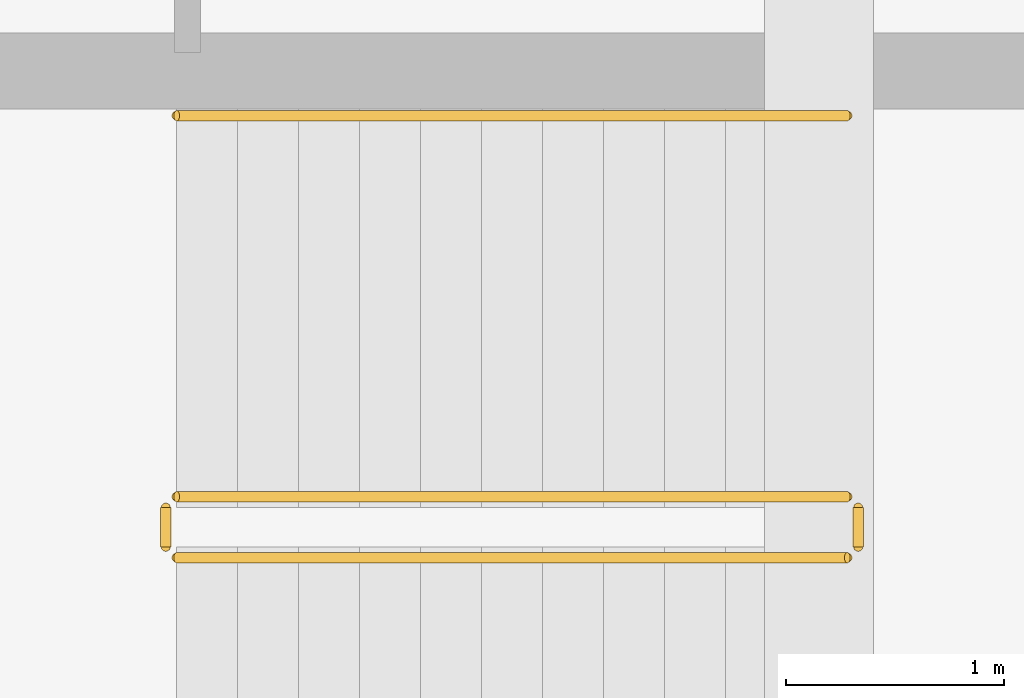
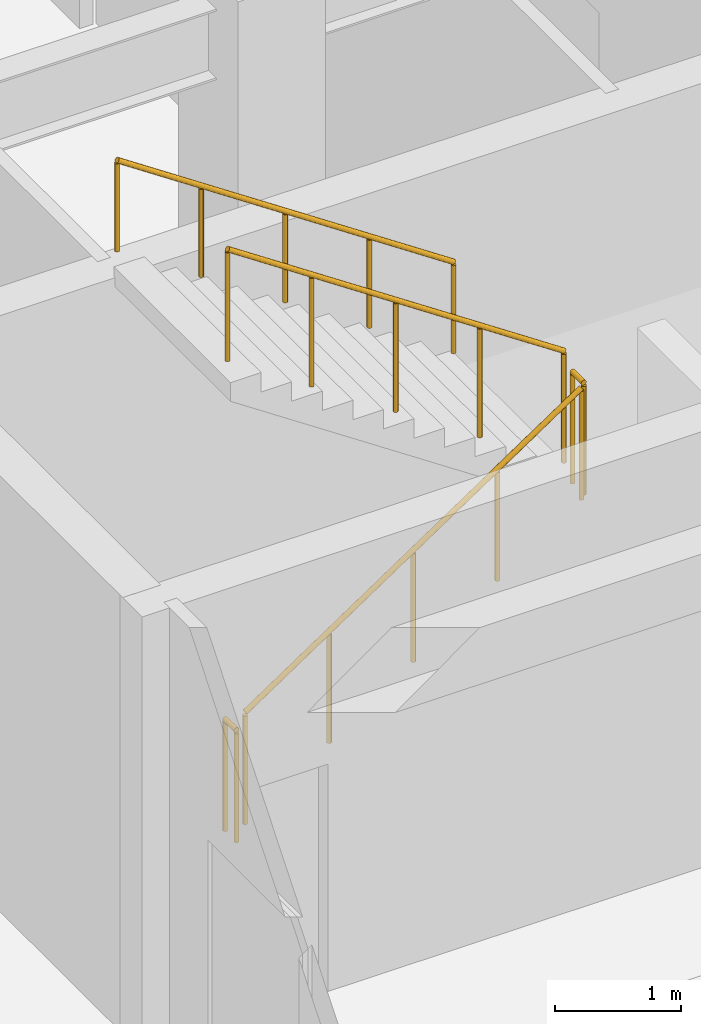
# One storey, part 37 of 42: 5 railings.
"""IFC4 building model written with IfcOpenShell, lengths in metres."""

from ifc_helpers import new_model, si_unit, direction, frame, origin, origin_2d, place, context, subcontext, project, spatial, circle, extrude, material, type_object, element, save


model = new_model("IFC4")

# Units and contexts
model_context = context("Model", 3, precision=1e-05, world=origin(), true_north=direction((0.0, 1.0)))
body_context = subcontext(model_context, "Body", "Model", "MODEL_VIEW")
ifc_project = project(units=[si_unit("LENGTHUNIT", "METRE"), si_unit("AREAUNIT", "SQUARE_METRE"), si_unit("VOLUMEUNIT", "CUBIC_METRE"), si_unit("PLANEANGLEUNIT", "RADIAN"), si_unit("MASSUNIT", "GRAM", prefix="KILO")], contexts=[model_context])

# Site, building, storey
site_placement = place(None, origin())
site = spatial("IfcSite", under=ifc_project, at=site_placement, CompositionType="ELEMENT")
building_placement = place(site_placement, origin())
building = spatial("IfcBuilding", under=site, at=building_placement, Name="Quendrovan Civic Courthouse", CompositionType="ELEMENT")
storey_placement = place(building_placement, frame((0.0, 0.0, -4.5)))
storey = spatial("IfcBuildingStorey", under=building, at=storey_placement, Name="B1", CompositionType="ELEMENT", Elevation=-4.5)

# Railings
ifc_material_1 = material(Name="Painted galvanized steel", Category="steel")
railing_type_1 = type_object("IfcRailingType", Name="RL-STR-GUARD1100", PredefinedType="GUARDRAIL", material=ifc_material_1)
railing_1_placement = place(storey_placement, frame((5.449951171875, 59.800048828125, 0.1875)))
element("IfcRailing", 1, at=railing_1_placement, inside=storey, type_object=railing_type_1, Name="B1 ST4 stair guard 1", PredefinedType="GUARDRAIL", context=body_context, shape_type="SweptSolid", body=[
    extrude(circle(Radius=0.02392578125, at=origin_2d()), frame((0.0, 0.0, 1.076171875), z_axis=(0.830913701846, 0.0, 0.55640131208), x_axis=(0.0, 1.0, 0.0)), (0.0, 0.0, 1.0), 3.706787109375),
    extrude(circle(Radius=0.02099609375, at=origin_2d()), origin(), (0.0, 0.0, 1.0), 1.052001953125),
    extrude(circle(Radius=0.02099609375, at=origin_2d()), frame((0.77001953125, 0.0, 0.515625)), (0.0, 0.0, 1.0), 1.052001953125),
    extrude(circle(Radius=0.02099609375, at=origin_2d()), frame((1.5400390625, 0.0, 1.03125)), (0.0, 0.0, 1.0), 1.052001953125),
    extrude(circle(Radius=0.02099609375, at=origin_2d()), frame((2.31005859375, 0.0, 1.546875)), (0.0, 0.0, 1.0), 1.052001953125),
    extrude(circle(Radius=0.02099609375, at=origin_2d()), frame((3.080078125, 0.0, 2.0625)), (0.0, 0.0, 1.0), 1.052001953125),
])
railing_2_placement = place(storey_placement, frame((8.580078125, 59.85009765625, 2.25)))
element("IfcRailing", 2, at=railing_2_placement, inside=storey, type_object=railing_type_1, Name="B1 ST4 stair guard 2", PredefinedType="GUARDRAIL", context=body_context, shape_type="SweptSolid", body=[
    extrude(circle(Radius=0.02392578125, at=origin_2d()), frame((0.0, 0.0, 1.076171875), z_axis=(0.0, 1.0, 0.0), x_axis=(-1.0, 0.0, 0.0)), (0.0, 0.0, 1.0), 0.179931640625),
    extrude(circle(Radius=0.02099609375, at=origin_2d()), origin(), (0.0, 0.0, 1.0), 1.052001953125),
    extrude(circle(Radius=0.02099609375, at=origin_2d()), frame((0.0, 0.179931640625, 0.0)), (0.0, 0.0, 1.0), 1.052001953125),
])
railing_3_placement = place(storey_placement, frame((8.530029296875, 60.080078125, 2.4375)))
element("IfcRailing", 3, at=railing_3_placement, inside=storey, type_object=railing_type_1, Name="B1 ST4 stair guard 3", PredefinedType="GUARDRAIL", context=body_context, shape_type="SweptSolid", body=[
    extrude(circle(Radius=0.02392578125, at=origin_2d()), frame((0.0, 0.0, 1.076171875), z_axis=(-0.830913701846, 0.0, 0.55640131208), x_axis=(0.0, -1.0, 0.0)), (0.0, 0.0, 1.0), 3.706787109375),
    extrude(circle(Radius=0.02099609375, at=origin_2d()), origin(), (0.0, 0.0, 1.0), 1.052001953125),
    extrude(circle(Radius=0.02099609375, at=origin_2d()), frame((-0.77001953125, 0.0, 0.515625)), (0.0, 0.0, 1.0), 1.052001953125),
    extrude(circle(Radius=0.02099609375, at=origin_2d()), frame((-1.5400390625, 0.0, 1.03125)), (0.0, 0.0, 1.0), 1.052001953125),
    extrude(circle(Radius=0.02099609375, at=origin_2d()), frame((-2.31005859375, 0.0, 1.546875)), (0.0, 0.0, 1.0), 1.052001953125),
    extrude(circle(Radius=0.02099609375, at=origin_2d()), frame((-3.080078125, 0.0, 2.0625)), (0.0, 0.0, 1.0), 1.052001953125),
])
railing_4_placement = place(storey_placement, frame((5.39990234375, 59.85009765625, 0.0)))
element("IfcRailing", 4, at=railing_4_placement, inside=storey, type_object=railing_type_1, Name="B1 ST4 stair guard 4", PredefinedType="GUARDRAIL", context=body_context, shape_type="SweptSolid", body=[
    extrude(circle(Radius=0.02392578125, at=origin_2d()), frame((0.0, 0.0, 1.076171875), z_axis=(0.0, 1.0, 0.0), x_axis=(-1.0, 0.0, 0.0)), (0.0, 0.0, 1.0), 0.179931640625),
    extrude(circle(Radius=0.02099609375, at=origin_2d()), origin(), (0.0, 0.0, 1.0), 1.052001953125),
    extrude(circle(Radius=0.02099609375, at=origin_2d()), frame((0.0, 0.179931640625, 0.0)), (0.0, 0.0, 1.0), 1.052001953125),
])
ifc_material_2 = material(Name="Bronze anodised aluminium", Category="aluminium")
railing_type_2 = type_object("IfcRailingType", Name="RL-STR-HAND900", PredefinedType="HANDRAIL", material=ifc_material_2)
railing_5_placement = place(storey_placement, frame((8.530029296875, 61.830078125, 2.4375)))
element("IfcRailing", 5, at=railing_5_placement, inside=storey, type_object=railing_type_2, Name="B1 ST4 stair handrail 2", PredefinedType="HANDRAIL", context=body_context, shape_type="SweptSolid", body=[
    extrude(circle(Radius=0.02392578125, at=origin_2d()), frame((0.0, 0.0, 0.8759765625), z_axis=(-0.830913701846, 0.0, 0.55640131208), x_axis=(0.0, -1.0, 0.0)), (0.0, 0.0, 1.0), 3.706787109375),
    extrude(circle(Radius=0.02099609375, at=origin_2d()), origin(), (0.0, 0.0, 1.0), 0.851806640625),
    extrude(circle(Radius=0.02099609375, at=origin_2d()), frame((-0.77001953125, 0.0, 0.515625)), (0.0, 0.0, 1.0), 0.851806640625),
    extrude(circle(Radius=0.02099609375, at=origin_2d()), frame((-1.5400390625, 0.0, 1.03125)), (0.0, 0.0, 1.0), 0.851806640625),
    extrude(circle(Radius=0.02099609375, at=origin_2d()), frame((-2.31005859375, 0.0, 1.546875)), (0.0, 0.0, 1.0), 0.851806640625),
    extrude(circle(Radius=0.02099609375, at=origin_2d()), frame((-3.080078125, 0.0, 2.0625)), (0.0, 0.0, 1.0), 0.851806640625),
])

save(model, "model.ifc")
